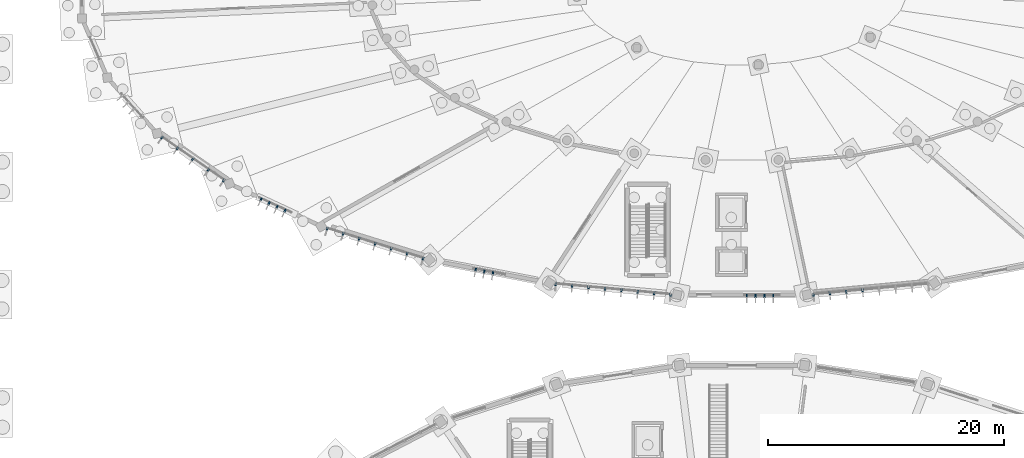
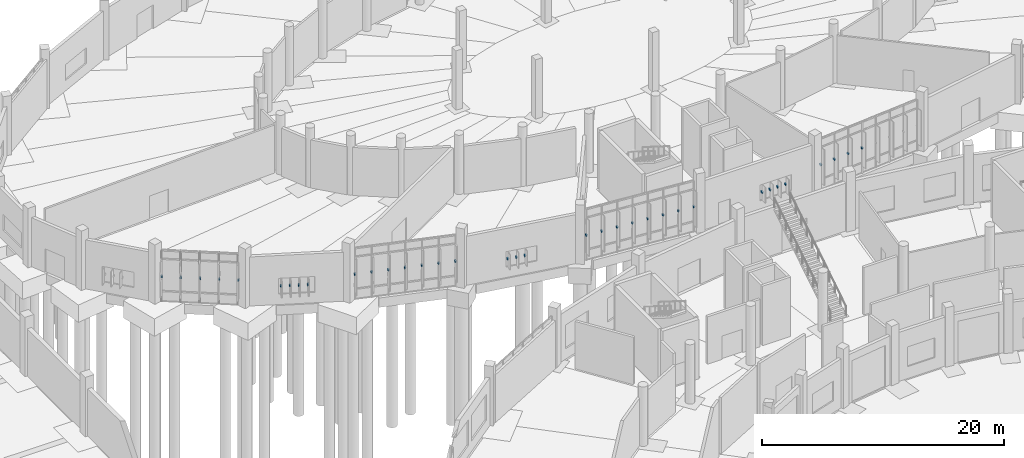
# One storey, part 100 of 140: 35 discrete accessories.
"""IFC4 building model written with IfcOpenShell, lengths in metres."""

from ifc_helpers import new_model, si_unit, direction, frame, origin, origin_2d, place, context, subcontext, project, spatial, rectangle, extrude, material, type_object, element, save


model = new_model("IFC4")

# Units and contexts
model_context = context("Model", 3, precision=1e-05, world=origin(), true_north=direction((0.0, 1.0)))
body_context = subcontext(model_context, "Body", "Model", "MODEL_VIEW")
ifc_project = project(units=[si_unit("LENGTHUNIT", "METRE"), si_unit("AREAUNIT", "SQUARE_METRE"), si_unit("VOLUMEUNIT", "CUBIC_METRE"), si_unit("PLANEANGLEUNIT", "RADIAN"), si_unit("MASSUNIT", "GRAM", prefix="KILO")], contexts=[model_context])

# Site, building, storey
site_placement = place(None, origin())
site = spatial("IfcSite", under=ifc_project, at=site_placement, CompositionType="ELEMENT")
building_placement = place(site_placement, origin())
building = spatial("IfcBuilding", under=site, at=building_placement, Name="Corvandel Quay Wholesale Market", CompositionType="ELEMENT")
storey_placement = place(building_placement, origin())
storey = spatial("IfcBuildingStorey", under=building, at=storey_placement, Name="L00", CompositionType="ELEMENT", Elevation=0.0)

# Discrete accessories
ifc_material = material(Name="Austenitic stainless steel Grade 316", Category="steel")
discrete_accessory_type = type_object("IfcDiscreteAccessoryType", Name="Stainless Solar Fin Fixing Bracket BRK01", PredefinedType="USERDEFINED", material=ifc_material)
for number, where, z_axis, x_axis, name in (
    (1, (64.7822265625, 103.32666015625, 2.5048828125), (0.0, 0.0, 1.0), (0.570570241419, 0.821248804935, 0.0), "Fin Bracket 0446"),
    (2, (66.0927734375, 102.416259765625, 2.5048828125), (0.0, 0.0, 1.0), (0.570570241419, 0.821248804935, 0.0), "Fin Bracket 0447"),
    (3, (67.4033203125, 101.505615234375, 2.5048828125), (0.0, 0.0, 1.0), (0.570570241419, 0.821248804935, 0.0), "Fin Bracket 0448"),
    (4, (68.7138671875, 100.59521484375, 2.5048828125), (0.0, 0.0, 1.0), (0.570570241419, 0.821248804935, 0.0), "Fin Bracket 0449"),
    (5, (70.0244140625, 99.684814453125, 2.5048828125), (0.0, 0.0, 1.0), (0.570570241419, 0.821248804935, 0.0), "Fin Bracket 0450"),
):
    element("IfcDiscreteAccessory", number, at=place(storey_placement, frame(where, z_axis=z_axis, x_axis=x_axis)), inside=storey, type_object=discrete_accessory_type, Name=name, ObjectType="BRACKET", PredefinedType="USERDEFINED", context=body_context, shape_type="SweptSolid", body=[
        extrude(rectangle(XDim=0.239990234375, YDim=0.1201171875, at=origin_2d()), origin(), (0.0, 0.0, 1.0), 0.139892578125),
    ])
for number, where, z_axis, x_axis, name in (
    (6, (73.180908203125, 98.07177734375, 1.7802734375), (0.0, 0.0, 1.0), (0.421194115999, 0.906970515865, 0.0), "Fin Bracket 0453"),
    (7, (73.861083984375, 97.755859375, 1.7802734375), (0.0, 0.0, 1.0), (0.421194115999, 0.906970515865, 0.0), "Fin Bracket 0454"),
    (8, (74.541259765625, 97.43994140625, 1.7802734375), (0.0, 0.0, 1.0), (0.421194115999, 0.906970515865, 0.0), "Fin Bracket 0455"),
    (9, (75.2216796875, 97.124267578125, 1.7802734375), (0.0, 0.0, 1.0), (0.421194115999, 0.906970515865, 0.0), "Fin Bracket 0456"),
):
    element("IfcDiscreteAccessory", number, at=place(storey_placement, frame(where, z_axis=z_axis, x_axis=x_axis)), inside=storey, type_object=discrete_accessory_type, Name=name, ObjectType="BRACKET", PredefinedType="USERDEFINED", context=body_context, shape_type="SweptSolid", body=[
        extrude(rectangle(XDim=0.280029296875, YDim=0.1201171875, at=origin_2d()), origin(), (0.0, 0.0, 1.0), 0.139892578125),
    ])
for number, where, z_axis, x_axis, name in (
    (10, (78.7998046875, 95.586669921875, 2.5048828125), (0.0, 0.0, 1.0), (0.296208192067, 0.955123398809, 0.0), "Fin Bracket 0463"),
    (11, (80.15673828125, 95.166015625, 2.5048828125), (0.0, 0.0, 1.0), (0.296208192067, 0.955123398809, 0.0), "Fin Bracket 0464"),
    (12, (81.513427734375, 94.7451171875, 2.5048828125), (0.0, 0.0, 1.0), (0.296208192067, 0.955123398809, 0.0), "Fin Bracket 0465"),
    (13, (82.8701171875, 94.32421875, 2.5048828125), (0.0, 0.0, 1.0), (0.296208192067, 0.955123398809, 0.0), "Fin Bracket 0466"),
    (14, (84.22705078125, 93.9033203125, 2.5048828125), (0.0, 0.0, 1.0), (0.296208192067, 0.955123398809, 0.0), "Fin Bracket 0467"),
    (15, (85.583740234375, 93.482421875, 2.5048828125), (0.0, 0.0, 1.0), (0.296208192067, 0.955123398809, 0.0), "Fin Bracket 0468"),
    (16, (86.9404296875, 93.061767578125, 2.5048828125), (0.0, 0.0, 1.0), (0.296208192067, 0.955123398809, 0.0), "Fin Bracket 0469"),
):
    element("IfcDiscreteAccessory", number, at=place(storey_placement, frame(where, z_axis=z_axis, x_axis=x_axis)), inside=storey, type_object=discrete_accessory_type, Name=name, ObjectType="BRACKET", PredefinedType="USERDEFINED", context=body_context, shape_type="SweptSolid", body=[
        extrude(rectangle(XDim=0.239990234375, YDim=0.1201171875, at=origin_2d()), origin(), (0.0, 0.0, 1.0), 0.139892578125),
    ])
for number, where, z_axis, x_axis, name in (
    (17, (91.39697265625, 92.102783203125, 1.7548828125), (0.0, 0.0, 1.0), (0.188924055984, 0.981991701121, 0.0), "Fin Bracket 0472"),
    (18, (92.13330078125, 91.9609375, 1.7548828125), (0.0, 0.0, 1.0), (0.188924055984, 0.981991701121, 0.0), "Fin Bracket 0473"),
    (19, (92.869873046875, 91.8193359375, 1.7548828125), (0.0, 0.0, 1.0), (0.188924055984, 0.981991701121, 0.0), "Fin Bracket 0474"),
):
    element("IfcDiscreteAccessory", number, at=place(storey_placement, frame(where, z_axis=z_axis, x_axis=x_axis)), inside=storey, type_object=discrete_accessory_type, Name=name, ObjectType="BRACKET", PredefinedType="USERDEFINED", context=body_context, shape_type="SweptSolid", body=[
        extrude(rectangle(XDim=0.280029296875, YDim=0.1201171875, at=origin_2d()), origin(), (0.0, 0.0, 1.0), 0.139892578125),
    ])
for number, where, z_axis, x_axis, name in (
    (20, (98.197265625, 90.8896484375, 2.5048828125), (0.0, 0.0, 1.0), (0.092023008338, 0.995756880939, 0.0), "Fin Bracket 0490"),
    (21, (99.589111328125, 90.760986328125, 2.5048828125), (0.0, 0.0, 1.0), (0.092023008338, 0.995756880939, 0.0), "Fin Bracket 0491"),
    (22, (100.981201171875, 90.632568359375, 2.5048828125), (0.0, 0.0, 1.0), (0.092023008338, 0.995756880939, 0.0), "Fin Bracket 0492"),
    (23, (102.373046875, 90.50390625, 2.5048828125), (0.0, 0.0, 1.0), (0.092023008338, 0.995756880939, 0.0), "Fin Bracket 0493"),
    (24, (103.764892578125, 90.37548828125, 2.5048828125), (0.0, 0.0, 1.0), (0.092023008338, 0.995756880939, 0.0), "Fin Bracket 0494"),
    (25, (105.156982421875, 90.2470703125, 2.5048828125), (0.0, 0.0, 1.0), (0.092023008338, 0.995756880939, 0.0), "Fin Bracket 0495"),
    (26, (106.548828125, 90.118408203125, 2.5048828125), (0.0, 0.0, 1.0), (0.092023008338, 0.995756880939, 0.0), "Fin Bracket 0496"),
    (27, (107.94091796875, 89.989990234375, 2.5048828125), (0.0, 0.0, 1.0), (0.092023008338, 0.995756880939, 0.0), "Fin Bracket 0497"),
):
    element("IfcDiscreteAccessory", number, at=place(storey_placement, frame(where, z_axis=z_axis, x_axis=x_axis)), inside=storey, type_object=discrete_accessory_type, Name=name, ObjectType="BRACKET", PredefinedType="USERDEFINED", context=body_context, shape_type="SweptSolid", body=[
        extrude(rectangle(XDim=0.239990234375, YDim=0.1201171875, at=origin_2d()), origin(), (0.0, 0.0, 1.0), 0.139892578125),
    ])
for number, where, z_axis, x_axis, name in (
    (28, (114.404052734375, 89.89990234375, 1.7802734375), (0.0, 0.0, 1.0), (0.0, 1.0, 0.0), "Fin Bracket 0508"),
    (29, (115.154052734375, 89.89990234375, 1.7802734375), (0.0, 0.0, 1.0), (0.0, 1.0, 0.0), "Fin Bracket 0509"),
    (30, (115.904052734375, 89.89990234375, 1.7802734375), (0.0, 0.0, 1.0), (0.0, 1.0, 0.0), "Fin Bracket 0510"),
    (31, (116.654052734375, 89.89990234375, 1.7802734375), (0.0, 0.0, 1.0), (0.0, 1.0, 0.0), "Fin Bracket 0511"),
):
    element("IfcDiscreteAccessory", number, at=place(storey_placement, frame(where, z_axis=z_axis, x_axis=x_axis)), inside=storey, type_object=discrete_accessory_type, Name=name, ObjectType="BRACKET", PredefinedType="USERDEFINED", context=body_context, shape_type="SweptSolid", body=[
        extrude(rectangle(XDim=0.280029296875, YDim=0.1201171875, at=origin_2d()), origin(), (0.0, 0.0, 1.0), 0.139892578125),
    ])
for number, where, z_axis, x_axis, name in (
    (32, (120.05908203125, 89.989990234375, 2.5048828125), (0.0, 0.0, 1.0), (-0.092023008338, 0.995756880939, 0.0), "Fin Bracket 0512"),
    (33, (121.451171875, 90.118408203125, 2.5048828125), (0.0, 0.0, 1.0), (-0.092023008338, 0.995756880939, 0.0), "Fin Bracket 0513"),
    (34, (122.843017578125, 90.2470703125, 2.5048828125), (0.0, 0.0, 1.0), (-0.092023008338, 0.995756880939, 0.0), "Fin Bracket 0514"),
    (35, (124.235107421875, 90.37548828125, 2.5048828125), (0.0, 0.0, 1.0), (-0.092023008338, 0.995756880939, 0.0), "Fin Bracket 0515"),
):
    element("IfcDiscreteAccessory", number, at=place(storey_placement, frame(where, z_axis=z_axis, x_axis=x_axis)), inside=storey, type_object=discrete_accessory_type, Name=name, ObjectType="BRACKET", PredefinedType="USERDEFINED", context=body_context, shape_type="SweptSolid", body=[
        extrude(rectangle(XDim=0.239990234375, YDim=0.1201171875, at=origin_2d()), origin(), (0.0, 0.0, 1.0), 0.139892578125),
    ])

save(model, "model.ifc")
